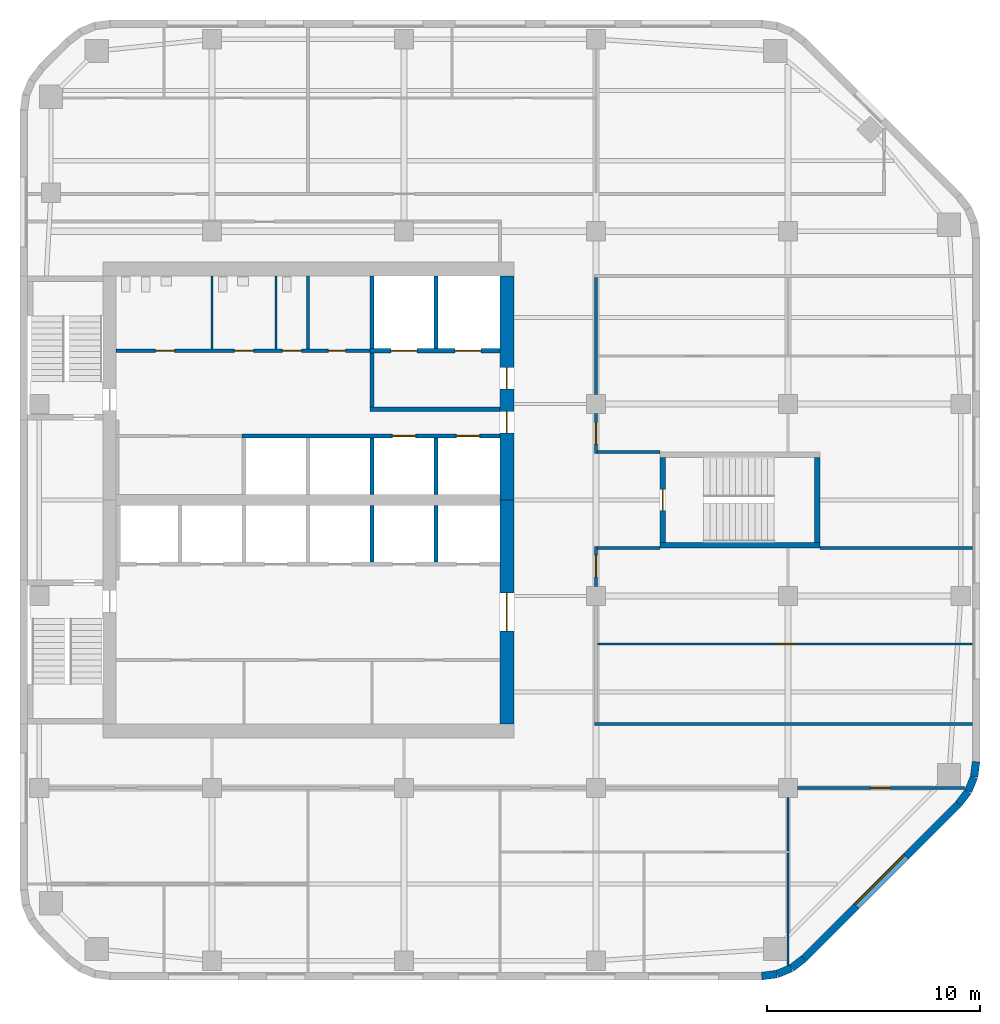
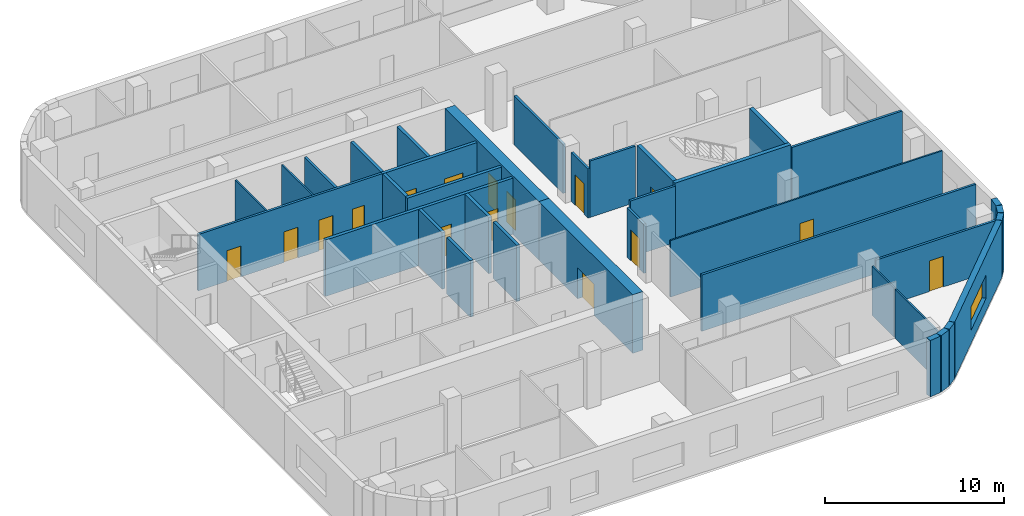
# One storey, part 4 of 8: 37 walls, 16 doors, 1 window, 17 openings.
"""IFC4 building model written with IfcOpenShell, lengths in metres."""

from ifc_helpers import new_model, si_unit, direction, frame, frame_2d, origin, place, context, subcontext, project, spatial, rectangle, extrude, material, layer, layer_set, type_object, element, fill, save


model = new_model("IFC4")

# Units and contexts
model_context = context("Model", 3, precision=1e-05, world=origin(), true_north=direction((0.0, 1.0)))
body_context = subcontext(model_context, "Body", "Model", "MODEL_VIEW")
ifc_project = project(units=[si_unit("LENGTHUNIT", "METRE"), si_unit("AREAUNIT", "SQUARE_METRE"), si_unit("VOLUMEUNIT", "CUBIC_METRE"), si_unit("PLANEANGLEUNIT", "RADIAN"), si_unit("MASSUNIT", "GRAM", prefix="KILO")], contexts=[model_context])

# Site, building, storey
site_placement = place(None, origin())
site = spatial("IfcSite", under=ifc_project, at=site_placement, CompositionType="ELEMENT")
building_placement = place(site_placement, origin())
building = spatial("IfcBuilding", under=site, at=building_placement, Name="Cinnabar Reach Civic Tower", CompositionType="ELEMENT")
storey_placement = place(building_placement, frame((0.0, 0.0, 157.0)))
storey = spatial("IfcBuildingStorey", under=building, at=storey_placement, Name="L37", CompositionType="ELEMENT", Elevation=157.0)

# Walls
ifc_material_1 = material(Name="Facing brick with insulated backing", Category="masonry")
ifc_layer_1 = layer(ifc_material_1, 0.36)
ifc_layer_set_1 = layer_set([ifc_layer_1], Name="Brick corner wall")
wall_type_1 = type_object("IfcWallType", Name="Brick corner wall", PredefinedType="STANDARD", material=ifc_layer_set_1)
for number, where, z_axis, x_axis, name in (
    (1, (34.7686, 9.183, 0.0), (0.0, 0.0, 1.0), (0.99144092581, 0.13055608231, 0.0), "Brick corner wall"),
    (2, (35.4973, 9.2819, 0.0), (0.0, 0.0, 1.0), (0.923871547278, 0.382702709855, 0.0), "Brick corner wall"),
):
    element("IfcWall", number, at=place(storey_placement, frame(where, z_axis=z_axis, x_axis=x_axis)), inside=storey, type_object=wall_type_1, Name=name, PredefinedType="STANDARD", context=body_context, shape_type="SweptSolid", body=[
        extrude(rectangle(XDim=0.7131, YDim=0.36, at=frame_2d((0.3565, 0.0))), origin(), (0.0, 0.0, 1.0), 3.85),
    ])
for number, where, z_axis, x_axis, name in (
    (3, (36.1755, 9.566, 0.0), (0.0, 0.0, 1.0), (0.793321924995, 0.608802368033, 0.0), "Brick corner wall"),
    (4, (43.9998, 17.2587, 0.0), (0.0, 0.0, 1.0), (0.608802368033, 0.793321924995, 0.0), "Brick corner wall"),
):
    element("IfcWall", number, at=place(storey_placement, frame(where, z_axis=z_axis, x_axis=x_axis)), inside=storey, type_object=wall_type_1, Name=name, PredefinedType="STANDARD", context=body_context, shape_type="SweptSolid", body=[
        extrude(rectangle(XDim=0.7132, YDim=0.36, at=frame_2d((0.3566, 0.0))), origin(), (0.0, 0.0, 1.0), 3.85),
    ])
for number, where, z_axis, x_axis, name in (
    (5, (44.4452, 17.8439, 0.0), (0.0, 0.0, 1.0), (0.382702709855, 0.923871547278, 0.0), "Brick corner wall"),
    (6, (44.7239, 18.5244, 0.0), (0.0, 0.0, 1.0), (0.13055608231, 0.99144092581, 0.0), "Brick corner wall"),
):
    element("IfcWall", number, at=place(storey_placement, frame(where, z_axis=z_axis, x_axis=x_axis)), inside=storey, type_object=wall_type_1, Name=name, PredefinedType="STANDARD", context=body_context, shape_type="SweptSolid", body=[
        extrude(rectangle(XDim=0.7131, YDim=0.36, at=frame_2d((0.3565, 0.0))), origin(), (0.0, 0.0, 1.0), 3.85),
    ])

# Wall, opening, window
ifc_layer_2 = layer(ifc_material_1, 0.36)
ifc_layer_set_2 = layer_set([ifc_layer_2], Name="Brick pier and spandrel wall")
wall_type_2 = type_object("IfcWallType", Name="Brick pier and spandrel wall", PredefinedType="STANDARD", material=ifc_layer_set_2)
wall_1_placement = place(storey_placement, frame((36.7514, 10.006, 0.0), z_axis=(0.0, 0.0, 1.0), x_axis=(0.707106781187, 0.707106781187, 0.0)))
wall_1 = element("IfcWall", 7, at=wall_1_placement, inside=storey, type_object=wall_type_2, Name="Brick facade wall", PredefinedType="STANDARD", context=body_context, shape_type="SweptSolid", body=[
    extrude(rectangle(XDim=10.2426, YDim=0.36, at=frame_2d((5.1213, 0.0))), origin(), (0.0, 0.0, 1.0), 3.85),
])
opening_1_placement = place(wall_1_placement, frame((3.4713, 0.0, 0.9)))
opening_1 = element("IfcOpeningElement", 8, at=opening_1_placement, cuts=wall_1, Name="Opening W1767", PredefinedType="OPENING", context=body_context, shape_type="SweptSolid", body=[
    extrude(rectangle(XDim=3.3, YDim=1.6, at=frame_2d((1.65, 0.8))), frame((0.0, 0.19, 0.0), z_axis=(0.0, -1.0, 0.0), x_axis=(1.0, 0.0, 0.0)), (0.0, 0.0, 1.0), 0.38),
])
ifc_material_2 = material(Name="Clear double glazing in aluminium frame", Category="aluminium")
window_type = type_object("IfcWindowType", Name="Deep-set window A", PartitioningType="SINGLE_PANEL", PredefinedType="WINDOW", material=ifc_material_2)
window_placement = place(opening_1_placement, origin())
window = element("IfcWindow", 9, at=window_placement, inside=storey, type_object=window_type, Name="Window southeast face", OverallHeight=1.6, OverallWidth=3.3, PartitioningType="SINGLE_PANEL", PredefinedType="WINDOW", context=body_context, shape_type="SweptSolid", body=[
    extrude(rectangle(XDim=3.3, YDim=1.6, at=frame_2d((1.65, 0.8))), frame((0.0, 0.13, 0.0), z_axis=(0.0, -1.0, 0.0), x_axis=(1.0, 0.0, 0.0)), (0.0, 0.0, 1.0), 0.06),
])
fill(opening_1, window)

# Wall, opening, door
ifc_material_3 = material(Name="Concrete C70", Category="concrete")
ifc_layer_3 = layer(ifc_material_3, 0.65)
ifc_layer_set_3 = layer_set([ifc_layer_3], Name="Core wall 650 EI 180")
wall_type_3 = type_object("IfcWallType", Name="Core wall 650 EI 180", PredefinedType="SOLIDWALL", material=ifc_layer_set_3)
wall_2_placement = place(storey_placement, frame((22.825, 21.0, 0.0), z_axis=(0.0, 0.0, 1.0), x_axis=(0.0, 1.0, 0.0)))
wall_2 = element("IfcWall", 10, at=wall_2_placement, inside=storey, type_object=wall_type_3, Name="Core wall T1 L37 E", PredefinedType="SOLIDWALL", context=body_context, shape_type="SweptSolid", body=[
    extrude(rectangle(XDim=10.5, YDim=0.65, at=frame_2d((5.25, 0.0))), origin(), (0.0, 0.0, 1.0), 4.0),
])
opening_2_placement = place(wall_2_placement, frame((4.35, 0.0, 0.0)))
opening_2 = element("IfcOpeningElement", 11, at=opening_2_placement, cuts=wall_2, Name="Opening D4510", PredefinedType="OPENING", context=body_context, shape_type="SweptSolid", body=[
    extrude(rectangle(XDim=1.8, YDim=2.1, at=frame_2d((0.9, 1.05))), frame((0.0, 0.335, 0.0), z_axis=(0.0, -1.0, 0.0), x_axis=(1.0, 0.0, 0.0)), (0.0, 0.0, 1.0), 0.67),
])
ifc_material_4 = material(Name="Timber door leaf in steel frame", Category="steel")
door_type_1 = type_object("IfcDoorType", Name="Double swing door 1800 x 2100 T1", OperationType="DOUBLE_DOOR_DOUBLE_SWING", PredefinedType="DOOR", material=ifc_material_4)
door_1_placement = place(opening_2_placement, origin())
door_1 = element("IfcDoor", 12, at=door_1_placement, inside=storey, type_object=door_type_1, Name="Door D4510", OperationType="DOUBLE_DOOR_DOUBLE_SWING", OverallHeight=2.1, OverallWidth=1.8, PredefinedType="DOOR", context=body_context, shape_type="SweptSolid", body=[
    extrude(rectangle(XDim=1.8, YDim=2.1, at=frame_2d((0.9, 1.05))), frame((0.0, 0.025, 0.0), z_axis=(0.0, -1.0, 0.0), x_axis=(1.0, 0.0, 0.0)), (0.0, 0.0, 1.0), 0.05),
])
fill(opening_2, door_1)

# Wall, openings, doors
wall_3_placement = place(storey_placement, frame((22.825, 31.5, 0.0), z_axis=(0.0, 0.0, 1.0), x_axis=(0.0, 1.0, 0.0)))
wall_3 = element("IfcWall", 13, at=wall_3_placement, inside=storey, type_object=wall_type_3, Name="Core wall T1 L37 E2", PredefinedType="SOLIDWALL", context=body_context, shape_type="SweptSolid", body=[
    extrude(rectangle(XDim=10.5, YDim=0.65, at=frame_2d((5.25, 0.0))), origin(), (0.0, 0.0, 1.0), 4.0),
])
opening_3_placement = place(wall_3_placement, frame((3.15, 0.0, 0.0)))
opening_3 = element("IfcOpeningElement", 14, at=opening_3_placement, cuts=wall_3, Name="Opening D4511", PredefinedType="OPENING", context=body_context, shape_type="SweptSolid", body=[
    extrude(rectangle(XDim=1.0, YDim=2.1, at=frame_2d((0.5, 1.05))), frame((0.0, 0.335, 0.0), z_axis=(0.0, -1.0, 0.0), x_axis=(1.0, 0.0, 0.0)), (0.0, 0.0, 1.0), 0.67),
])
opening_4_placement = place(wall_3_placement, frame((5.2, 0.0, 0.0)))
opening_4 = element("IfcOpeningElement", 15, at=opening_4_placement, cuts=wall_3, Name="Opening D4512", PredefinedType="OPENING", context=body_context, shape_type="SweptSolid", body=[
    extrude(rectangle(XDim=1.0, YDim=2.1, at=frame_2d((0.5, 1.05))), frame((0.0, 0.335, 0.0), z_axis=(0.0, -1.0, 0.0), x_axis=(1.0, 0.0, 0.0)), (0.0, 0.0, 1.0), 0.67),
])
door_type_2 = type_object("IfcDoorType", Name="Firefighting lobby door 1000 x 2100 T1", OperationType="SINGLE_SWING_LEFT", PredefinedType="DOOR", material=ifc_material_4)
door_2_placement = place(opening_4_placement, origin())
door_2 = element("IfcDoor", 16, at=door_2_placement, inside=storey, type_object=door_type_2, Name="Door D4512", OperationType="SINGLE_SWING_RIGHT", OverallHeight=2.1, OverallWidth=1.0, PredefinedType="DOOR", context=body_context, shape_type="SweptSolid", body=[
    extrude(rectangle(XDim=1.0, YDim=2.1, at=frame_2d((0.5, 1.05))), frame((0.0, 0.025, 0.0), z_axis=(0.0, -1.0, 0.0), x_axis=(1.0, 0.0, 0.0)), (0.0, 0.0, 1.0), 0.05),
])
fill(opening_4, door_2)
door_type_3 = type_object("IfcDoorType", Name="Single swing door 1000 x 2100 T1", OperationType="SINGLE_SWING_LEFT", PredefinedType="DOOR", material=ifc_material_4)
door_3_placement = place(opening_3_placement, origin())
door_3 = element("IfcDoor", 17, at=door_3_placement, inside=storey, type_object=door_type_3, Name="Door D4511", OperationType="SINGLE_SWING_RIGHT", OverallHeight=2.1, OverallWidth=1.0, PredefinedType="DOOR", context=body_context, shape_type="SweptSolid", body=[
    extrude(rectangle(XDim=1.0, YDim=2.1, at=frame_2d((0.5, 1.05))), frame((0.0, 0.025, 0.0), z_axis=(0.0, -1.0, 0.0), x_axis=(1.0, 0.0, 0.0)), (0.0, 0.0, 1.0), 0.05),
])
fill(opening_3, door_3)

# Wall, opening, door
ifc_material_5 = material(Name="Gypsum board on steel studs, double layer", Category="steel")
ifc_layer_4 = layer(ifc_material_5, 0.15)
ifc_layer_set_4 = layer_set([ifc_layer_4], Name="Corridor wall 150 T1")
wall_type_4 = type_object("IfcWallType", Name="Corridor wall 150 T1", PredefinedType="PARTITIONING", material=ifc_layer_set_4)
wall_4_placement = place(storey_placement, frame((36.45, 18.0, 0.0), z_axis=(0.0, 0.0, 1.0), x_axis=(1.0, 0.0, 0.0)))
wall_4 = element("IfcWall", 18, at=wall_4_placement, inside=storey, type_object=wall_type_4, Name="Corridor wall 22", PredefinedType="PARTITIONING", context=body_context, shape_type="SweptSolid", body=[
    extrude(rectangle(XDim=7.834, YDim=0.15, at=frame_2d((3.917, 0.0))), origin(), (0.0, 0.0, 1.0), 3.35),
])
opening_5_placement = place(wall_4_placement, frame((3.45, 0.0, 0.0)))
opening_5 = element("IfcOpeningElement", 19, at=opening_5_placement, cuts=wall_4, Name="Opening D4534", PredefinedType="OPENING", context=body_context, shape_type="SweptSolid", body=[
    extrude(rectangle(XDim=0.9, YDim=2.1, at=frame_2d((0.45, 1.05))), frame((0.0, 0.085, 0.0), z_axis=(0.0, -1.0, 0.0), x_axis=(1.0, 0.0, 0.0)), (0.0, 0.0, 1.0), 0.17),
])
door_type_4 = type_object("IfcDoorType", Name="Single swing door 900 x 2100 corridor T1", OperationType="SINGLE_SWING_LEFT", PredefinedType="DOOR", material=ifc_material_4)
door_4_placement = place(opening_5_placement, frame((0.9, 0.0, 0.0), z_axis=(0.0, 0.0, 1.0), x_axis=(-1.0, 0.0, 0.0)))
door_4 = element("IfcDoor", 20, at=door_4_placement, inside=storey, type_object=door_type_4, Name="Door D4534", OperationType="SINGLE_SWING_RIGHT", OverallHeight=2.1, OverallWidth=0.9, PredefinedType="DOOR", context=body_context, shape_type="SweptSolid", body=[
    extrude(rectangle(XDim=0.9, YDim=2.1, at=frame_2d((0.45, 1.05))), frame((0.0, 0.025, 0.0), z_axis=(0.0, -1.0, 0.0), x_axis=(1.0, 0.0, 0.0)), (0.0, 0.0, 1.0), 0.05),
])
fill(opening_5, door_4)

# Wall
wall_5_placement = place(storey_placement, frame((26.925, 21.0, 0.0), z_axis=(0.0, 0.0, 1.0), x_axis=(1.0, 0.0, 0.0)))
element("IfcWall", 21, at=wall_5_placement, inside=storey, type_object=wall_type_4, Name="Corridor wall 27", PredefinedType="PARTITIONING", context=body_context, shape_type="SweptSolid", body=[
    extrude(rectangle(XDim=17.715, YDim=0.15, at=frame_2d((8.8575, 0.0))), origin(), (0.0, 0.0, 1.0), 3.85),
])

# Wall, openings, doors
wall_6_placement = place(storey_placement, frame((4.5, 38.5, 0.0), z_axis=(0.0, 0.0, 1.0), x_axis=(1.0, 0.0, 0.0)))
wall_6 = element("IfcWall", 22, at=wall_6_placement, inside=storey, type_object=wall_type_4, Name="Corridor wall 29", PredefinedType="PARTITIONING", context=body_context, shape_type="SweptSolid", body=[
    extrude(rectangle(XDim=11.9, YDim=0.15, at=frame_2d((5.95, 0.0))), origin(), (0.0, 0.0, 1.0), 3.85),
])
opening_6_placement = place(wall_6_placement, frame((1.85, 0.0, 0.0)))
opening_6 = element("IfcOpeningElement", 23, at=opening_6_placement, cuts=wall_6, Name="Opening D4518", PredefinedType="OPENING", context=body_context, shape_type="SweptSolid", body=[
    extrude(rectangle(XDim=0.9, YDim=2.1, at=frame_2d((0.45, 1.05))), frame((0.0, 0.085, 0.0), z_axis=(0.0, -1.0, 0.0), x_axis=(1.0, 0.0, 0.0)), (0.0, 0.0, 1.0), 0.17),
])
opening_7_placement = place(wall_6_placement, frame((5.55, 0.0, 0.0)))
opening_7 = element("IfcOpeningElement", 24, at=opening_7_placement, cuts=wall_6, Name="Opening D4519", PredefinedType="OPENING", context=body_context, shape_type="SweptSolid", body=[
    extrude(rectangle(XDim=0.9, YDim=2.1, at=frame_2d((0.45, 1.05))), frame((0.0, 0.085, 0.0), z_axis=(0.0, -1.0, 0.0), x_axis=(1.0, 0.0, 0.0)), (0.0, 0.0, 1.0), 0.17),
])
opening_8_placement = place(wall_6_placement, frame((7.8, 0.0, 0.0)))
opening_8 = element("IfcOpeningElement", 25, at=opening_8_placement, cuts=wall_6, Name="Opening D4520", PredefinedType="OPENING", context=body_context, shape_type="SweptSolid", body=[
    extrude(rectangle(XDim=0.9, YDim=2.1, at=frame_2d((0.45, 1.05))), frame((0.0, 0.085, 0.0), z_axis=(0.0, -1.0, 0.0), x_axis=(1.0, 0.0, 0.0)), (0.0, 0.0, 1.0), 0.17),
])
opening_9_placement = place(wall_6_placement, frame((9.95, 0.0, 0.0)))
opening_9 = element("IfcOpeningElement", 26, at=opening_9_placement, cuts=wall_6, Name="Opening D4521", PredefinedType="OPENING", context=body_context, shape_type="SweptSolid", body=[
    extrude(rectangle(XDim=0.8, YDim=2.1, at=frame_2d((0.4, 1.05))), frame((0.0, 0.085, 0.0), z_axis=(0.0, -1.0, 0.0), x_axis=(1.0, 0.0, 0.0)), (0.0, 0.0, 1.0), 0.17),
])
door_type_5 = type_object("IfcDoorType", Name="Riser access door 800 x 2100 T1", OperationType="SINGLE_SWING_LEFT", PredefinedType="DOOR", material=ifc_material_4)
door_5_placement = place(opening_9_placement, origin())
door_5 = element("IfcDoor", 27, at=door_5_placement, inside=storey, type_object=door_type_5, Name="Door D4521", OperationType="SINGLE_SWING_RIGHT", OverallHeight=2.1, OverallWidth=0.8, PredefinedType="DOOR", context=body_context, shape_type="SweptSolid", body=[
    extrude(rectangle(XDim=0.8, YDim=2.1, at=frame_2d((0.4, 1.05))), frame((0.0, 0.025, 0.0), z_axis=(0.0, -1.0, 0.0), x_axis=(1.0, 0.0, 0.0)), (0.0, 0.0, 1.0), 0.05),
])
fill(opening_9, door_5)
door_6_placement = place(opening_6_placement, origin())
door_6 = element("IfcDoor", 28, at=door_6_placement, inside=storey, type_object=door_type_4, Name="Door D4518", OperationType="SINGLE_SWING_LEFT", OverallHeight=2.1, OverallWidth=0.9, PredefinedType="DOOR", context=body_context, shape_type="SweptSolid", body=[
    extrude(rectangle(XDim=0.9, YDim=2.1, at=frame_2d((0.45, 1.05))), frame((0.0, 0.025, 0.0), z_axis=(0.0, -1.0, 0.0), x_axis=(1.0, 0.0, 0.0)), (0.0, 0.0, 1.0), 0.05),
])
fill(opening_6, door_6)
door_7_placement = place(opening_7_placement, origin())
door_7 = element("IfcDoor", 29, at=door_7_placement, inside=storey, type_object=door_type_4, Name="Door D4519", OperationType="SINGLE_SWING_LEFT", OverallHeight=2.1, OverallWidth=0.9, PredefinedType="DOOR", context=body_context, shape_type="SweptSolid", body=[
    extrude(rectangle(XDim=0.9, YDim=2.1, at=frame_2d((0.45, 1.05))), frame((0.0, 0.025, 0.0), z_axis=(0.0, -1.0, 0.0), x_axis=(1.0, 0.0, 0.0)), (0.0, 0.0, 1.0), 0.05),
])
fill(opening_7, door_7)
door_8_placement = place(opening_8_placement, origin())
door_8 = element("IfcDoor", 30, at=door_8_placement, inside=storey, type_object=door_type_4, Name="Door D4520", OperationType="SINGLE_SWING_RIGHT", OverallHeight=2.1, OverallWidth=0.9, PredefinedType="DOOR", context=body_context, shape_type="SweptSolid", body=[
    extrude(rectangle(XDim=0.9, YDim=2.1, at=frame_2d((0.45, 1.05))), frame((0.0, 0.025, 0.0), z_axis=(0.0, -1.0, 0.0), x_axis=(1.0, 0.0, 0.0)), (0.0, 0.0, 1.0), 0.05),
])
fill(opening_8, door_8)

# Wall, opening, door
wall_7_placement = place(storey_placement, frame((27.0, 27.45, 0.0), z_axis=(0.0, 0.0, 1.0), x_axis=(0.0, 1.0, 0.0)))
wall_7 = element("IfcWall", 31, at=wall_7_placement, inside=storey, type_object=wall_type_4, Name="Corridor wall 31", PredefinedType="PARTITIONING", context=body_context, shape_type="SweptSolid", body=[
    extrude(rectangle(XDim=1.875, YDim=0.15, at=frame_2d((0.9375, 0.0))), origin(), (0.0, 0.0, 1.0), 3.362),
])
opening_10_placement = place(wall_7_placement, frame((0.45, 0.0, 0.0)))
opening_10 = element("IfcOpeningElement", 32, at=opening_10_placement, cuts=wall_7, Name="Opening D4525", PredefinedType="OPENING", context=body_context, shape_type="SweptSolid", body=[
    extrude(rectangle(XDim=1.0, YDim=2.1, at=frame_2d((0.5, 1.05))), frame((0.0, 0.085, 0.0), z_axis=(0.0, -1.0, 0.0), x_axis=(1.0, 0.0, 0.0)), (0.0, 0.0, 1.0), 0.17),
])
door_type_6 = type_object("IfcDoorType", Name="Tenancy entrance door 1000 x 2100 T1", OperationType="SINGLE_SWING_LEFT", PredefinedType="DOOR", material=ifc_material_4)
door_9_placement = place(opening_10_placement, frame((1.0, 0.0, 0.0), z_axis=(0.0, 0.0, 1.0), x_axis=(-1.0, 0.0, 0.0)))
door_9 = element("IfcDoor", 33, at=door_9_placement, inside=storey, type_object=door_type_6, Name="Door D4525", OperationType="SINGLE_SWING_LEFT", OverallHeight=2.1, OverallWidth=1.0, PredefinedType="DOOR", context=body_context, shape_type="SweptSolid", body=[
    extrude(rectangle(XDim=1.0, YDim=2.1, at=frame_2d((0.5, 1.05))), frame((0.0, 0.025, 0.0), z_axis=(0.0, -1.0, 0.0), x_axis=(1.0, 0.0, 0.0)), (0.0, 0.0, 1.0), 0.05),
])
fill(opening_10, door_9)

wall_8_placement = place(storey_placement, frame((27.0, 33.675, 0.0), z_axis=(0.0, 0.0, 1.0), x_axis=(0.0, 1.0, 0.0)))
wall_8 = element("IfcWall", 34, at=wall_8_placement, inside=storey, type_object=wall_type_4, Name="Corridor wall 32", PredefinedType="PARTITIONING", context=body_context, shape_type="SweptSolid", body=[
    extrude(rectangle(XDim=1.875, YDim=0.15, at=frame_2d((0.9375, 0.0))), origin(), (0.0, 0.0, 1.0), 3.362),
])
opening_11_placement = place(wall_8_placement, frame((0.45, 0.0, 0.0)))
opening_11 = element("IfcOpeningElement", 35, at=opening_11_placement, cuts=wall_8, Name="Opening D4522", PredefinedType="OPENING", context=body_context, shape_type="SweptSolid", body=[
    extrude(rectangle(XDim=1.0, YDim=2.1, at=frame_2d((0.5, 1.05))), frame((0.0, 0.085, 0.0), z_axis=(0.0, -1.0, 0.0), x_axis=(1.0, 0.0, 0.0)), (0.0, 0.0, 1.0), 0.17),
])
door_10_placement = place(opening_11_placement, frame((1.0, 0.0, 0.0), z_axis=(0.0, 0.0, 1.0), x_axis=(-1.0, 0.0, 0.0)))
door_10 = element("IfcDoor", 36, at=door_10_placement, inside=storey, type_object=door_type_6, Name="Door D4522", OperationType="SINGLE_SWING_RIGHT", OverallHeight=2.1, OverallWidth=1.0, PredefinedType="DOOR", context=body_context, shape_type="SweptSolid", body=[
    extrude(rectangle(XDim=1.0, YDim=2.1, at=frame_2d((0.5, 1.05))), frame((0.0, 0.025, 0.0), z_axis=(0.0, -1.0, 0.0), x_axis=(1.0, 0.0, 0.0)), (0.0, 0.0, 1.0), 0.05),
])
fill(opening_11, door_10)

# Walls
wall_9_placement = place(storey_placement, frame((27.0, 36.45, 0.0), z_axis=(0.0, 0.0, 1.0), x_axis=(0.0, 1.0, 0.0)))
element("IfcWall", 37, at=wall_9_placement, inside=storey, type_object=wall_type_4, Name="Corridor wall 33", PredefinedType="PARTITIONING", context=body_context, shape_type="SweptSolid", body=[
    extrude(rectangle(XDim=5.475, YDim=0.15, at=frame_2d((2.7375, 0.0))), origin(), (0.0, 0.0, 1.0), 3.362),
])
for number, where, z_axis, x_axis, name in (
    (38, (27.075, 29.25, 0.0), (0.0, 0.0, 1.0), (1.0, 0.0, 0.0), "Corridor wall 38"),
    (39, (27.075, 33.75, 0.0), (0.0, 0.0, 1.0), (1.0, 0.0, 0.0), "Corridor wall 39"),
):
    element("IfcWall", number, at=place(storey_placement, frame(where, z_axis=z_axis, x_axis=x_axis)), inside=storey, type_object=wall_type_4, Name=name, PredefinedType="PARTITIONING", context=body_context, shape_type="SweptSolid", body=[
        extrude(rectangle(XDim=2.925, YDim=0.15, at=frame_2d((1.4625, 0.0))), origin(), (0.0, 0.0, 1.0), 3.85),
    ])

# Wall, openings, doors
ifc_material_6 = material(Name="Blockwork", Category="masonry")
ifc_layer_5 = layer(ifc_material_6, 0.2)
ifc_layer_set_5 = layer_set([ifc_layer_5], Name="Lift shaft wall 200 T1")
wall_type_5 = type_object("IfcWallType", Name="Lift shaft wall 200 T1", PredefinedType="PARTITIONING", material=ifc_layer_set_5)
wall_10_placement = place(storey_placement, frame((10.4, 34.5, 0.0), z_axis=(0.0, 0.0, 1.0), x_axis=(1.0, 0.0, 0.0)))
wall_10 = element("IfcWall", 40, at=wall_10_placement, inside=storey, type_object=wall_type_5, Name="Lift shaft wall 5", PredefinedType="PARTITIONING", context=body_context, shape_type="SweptSolid", body=[
    extrude(rectangle(XDim=12.1, YDim=0.2, at=frame_2d((6.05, 0.0))), origin(), (0.0, 0.0, 1.0), 3.85),
])
opening_12_placement = place(wall_10_placement, frame((7.05, 0.0, 0.0)))
opening_12 = element("IfcOpeningElement", 41, at=opening_12_placement, cuts=wall_10, Name="Opening D4506", PredefinedType="OPENING", context=body_context, shape_type="SweptSolid", body=[
    extrude(rectangle(XDim=1.1, YDim=2.1, at=frame_2d((0.55, 1.05))), frame((0.0, 0.11, 0.0), z_axis=(0.0, -1.0, 0.0), x_axis=(1.0, 0.0, 0.0)), (0.0, 0.0, 1.0), 0.22),
])
opening_13_placement = place(wall_10_placement, frame((10.05, 0.0, 0.0)))
opening_13 = element("IfcOpeningElement", 42, at=opening_13_placement, cuts=wall_10, Name="Opening D4507", PredefinedType="OPENING", context=body_context, shape_type="SweptSolid", body=[
    extrude(rectangle(XDim=1.1, YDim=2.1, at=frame_2d((0.55, 1.05))), frame((0.0, 0.11, 0.0), z_axis=(0.0, -1.0, 0.0), x_axis=(1.0, 0.0, 0.0)), (0.0, 0.0, 1.0), 0.22),
])
ifc_material_7 = material(Name="Stainless steel sliding door", Category="steel")
door_type_7 = type_object("IfcDoorType", Name="Lift landing door 1100 x 2100 T1", OperationType="SLIDING_TO_LEFT", PredefinedType="DOOR", material=ifc_material_7)
door_11_placement = place(opening_12_placement, origin())
door_11 = element("IfcDoor", 43, at=door_11_placement, inside=storey, type_object=door_type_7, Name="Lift landing door SV1 L37", OperationType="SLIDING_TO_LEFT", OverallHeight=2.1, OverallWidth=1.1, PredefinedType="DOOR", context=body_context, shape_type="SweptSolid", body=[
    extrude(rectangle(XDim=1.1, YDim=2.1, at=frame_2d((0.55, 1.05))), frame((0.0, 0.025, 0.0), z_axis=(0.0, -1.0, 0.0), x_axis=(1.0, 0.0, 0.0)), (0.0, 0.0, 1.0), 0.05),
])
fill(opening_12, door_11)
door_12_placement = place(opening_13_placement, origin())
door_12 = element("IfcDoor", 44, at=door_12_placement, inside=storey, type_object=door_type_7, Name="Lift landing door SV2 L37", OperationType="SLIDING_TO_LEFT", OverallHeight=2.1, OverallWidth=1.1, PredefinedType="DOOR", context=body_context, shape_type="SweptSolid", body=[
    extrude(rectangle(XDim=1.1, YDim=2.1, at=frame_2d((0.55, 1.05))), frame((0.0, 0.025, 0.0), z_axis=(0.0, -1.0, 0.0), x_axis=(1.0, 0.0, 0.0)), (0.0, 0.0, 1.0), 0.05),
])
fill(opening_13, door_12)

# Walls
for number, where, z_axis, x_axis, name in (
    (45, (16.5, 28.6, 0.0), (0.0, 0.0, 1.0), (0.0, 1.0, 0.0), "Lift shaft wall 10"),
    (46, (16.5, 31.75, 0.0), (0.0, 0.0, 1.0), (0.0, 1.0, 0.0), "Lift shaft wall 11"),
    (47, (19.5, 28.6, 0.0), (0.0, 0.0, 1.0), (0.0, 1.0, 0.0), "Lift shaft wall 12"),
    (48, (19.5, 31.75, 0.0), (0.0, 0.0, 1.0), (0.0, 1.0, 0.0), "Lift shaft wall 13"),
):
    element("IfcWall", number, at=place(storey_placement, frame(where, z_axis=z_axis, x_axis=x_axis)), inside=storey, type_object=wall_type_5, Name=name, PredefinedType="PARTITIONING", context=body_context, shape_type="SweptSolid", body=[
        extrude(rectangle(XDim=2.65, YDim=0.2, at=frame_2d((1.325, 0.0))), origin(), (0.0, 0.0, 1.0), 3.85),
    ])
for number, where, z_axis, x_axis, name in (
    (49, (16.5, 38.6, 0.0), (0.0, 0.0, 1.0), (0.0, 1.0, 0.0), "Lift shaft wall 14"),
    (50, (19.5, 38.6, 0.0), (0.0, 0.0, 1.0), (0.0, 1.0, 0.0), "Lift shaft wall 15"),
):
    element("IfcWall", number, at=place(storey_placement, frame(where, z_axis=z_axis, x_axis=x_axis)), inside=storey, type_object=wall_type_5, Name=name, PredefinedType="PARTITIONING", context=body_context, shape_type="SweptSolid", body=[
        extrude(rectangle(XDim=3.4, YDim=0.2, at=frame_2d((1.7, 0.0))), origin(), (0.0, 0.0, 1.0), 3.85),
    ])

# Wall, opening, door
ifc_material_8 = material(Name="Gypsum board on steel studs", Category="steel")
ifc_layer_6 = layer(ifc_material_8, 0.1)
ifc_layer_set_6 = layer_set([ifc_layer_6], Name="Partition wall 100 T1")
wall_type_6 = type_object("IfcWallType", Name="Partition wall 100 T1", PredefinedType="PARTITIONING", material=ifc_layer_set_6)
wall_11_placement = place(storey_placement, frame((27.075, 24.75, 0.0), z_axis=(0.0, 0.0, 1.0), x_axis=(1.0, 0.0, 0.0)))
wall_11 = element("IfcWall", 51, at=wall_11_placement, inside=storey, type_object=wall_type_6, Name="Partition wall 47", PredefinedType="PARTITIONING", context=body_context, shape_type="SweptSolid", body=[
    extrude(rectangle(XDim=17.565, YDim=0.1, at=frame_2d((8.7825, 0.0))), origin(), (0.0, 0.0, 1.0), 3.85),
])
opening_14_placement = place(wall_11_placement, frame((8.35, 0.0, 0.0)))
opening_14 = element("IfcOpeningElement", 52, at=opening_14_placement, cuts=wall_11, Name="Opening D4526", PredefinedType="OPENING", context=body_context, shape_type="SweptSolid", body=[
    extrude(rectangle(XDim=0.9, YDim=2.1, at=frame_2d((0.45, 1.05))), frame((0.0, 0.06, 0.0), z_axis=(0.0, -1.0, 0.0), x_axis=(1.0, 0.0, 0.0)), (0.0, 0.0, 1.0), 0.12),
])
door_type_8 = type_object("IfcDoorType", Name="Single swing door 900 x 2100 T1", OperationType="SINGLE_SWING_LEFT", PredefinedType="DOOR", material=ifc_material_4)
door_13_placement = place(opening_14_placement, frame((0.9, 0.0, 0.0), z_axis=(0.0, 0.0, 1.0), x_axis=(-1.0, 0.0, 0.0)))
door_13 = element("IfcDoor", 53, at=door_13_placement, inside=storey, type_object=door_type_8, Name="Door D4526", OperationType="SINGLE_SWING_LEFT", OverallHeight=2.1, OverallWidth=0.9, PredefinedType="DOOR", context=body_context, shape_type="SweptSolid", body=[
    extrude(rectangle(XDim=0.9, YDim=2.1, at=frame_2d((0.45, 1.05))), frame((0.0, 0.025, 0.0), z_axis=(0.0, -1.0, 0.0), x_axis=(1.0, 0.0, 0.0)), (0.0, 0.0, 1.0), 0.05),
])
fill(opening_14, door_13)

# Walls
wall_12_placement = place(storey_placement, frame((36.0, 15.05, 0.0), z_axis=(0.0, 0.0, 1.0), x_axis=(0.0, 1.0, 0.0)))
element("IfcWall", 54, at=wall_12_placement, inside=storey, type_object=wall_type_6, Name="Partition wall 55", PredefinedType="PARTITIONING", context=body_context, shape_type="SweptSolid", body=[
    extrude(rectangle(XDim=2.5, YDim=0.1, at=frame_2d((1.25, 0.0))), origin(), (0.0, 0.0, 1.0), 3.35),
])
wall_13_placement = place(storey_placement, frame((36.0, 9.685, 0.0), z_axis=(0.0, 0.0, 1.0), x_axis=(0.0, 1.0, 0.0)))
element("IfcWall", 55, at=wall_13_placement, inside=storey, type_object=wall_type_6, Name="Partition wall 56", PredefinedType="PARTITIONING", context=body_context, shape_type="SweptSolid", body=[
    extrude(rectangle(XDim=5.265, YDim=0.1, at=frame_2d((2.6325, 0.0))), origin(), (0.0, 0.0, 1.0), 3.35),
])
for number, where, z_axis, x_axis, name in (
    (56, (9.0, 38.575, 0.0), (0.0, 0.0, 1.0), (0.0, 1.0, 0.0), "Partition wall 62"),
    (57, (12.0, 38.575, 0.0), (0.0, 0.0, 1.0), (0.0, 1.0, 0.0), "Partition wall 63"),
):
    element("IfcWall", number, at=place(storey_placement, frame(where, z_axis=z_axis, x_axis=x_axis)), inside=storey, type_object=wall_type_6, Name=name, PredefinedType="PARTITIONING", context=body_context, shape_type="SweptSolid", body=[
        extrude(rectangle(XDim=3.425, YDim=0.1, at=frame_2d((1.7125, 0.0))), origin(), (0.0, 0.0, 1.0), 3.85),
    ])
ifc_material_9 = material(Name="Concrete C40", Category="concrete")
ifc_layer_7 = layer(ifc_material_9, 0.2)
ifc_layer_set_7 = layer_set([ifc_layer_7], Name="Refuge compartment wall 200 T1")
wall_type_7 = type_object("IfcWallType", Name="Refuge compartment wall 200 T1", PredefinedType="PARTITIONING", material=ifc_layer_set_7)
wall_14_placement = place(storey_placement, frame((16.4, 35.75, 0.0), z_axis=(0.0, 0.0, 1.0), x_axis=(1.0, 0.0, 0.0)))
element("IfcWall", 58, at=wall_14_placement, inside=storey, type_object=wall_type_7, Name="Refuge compartment wall 1", PredefinedType="PARTITIONING", context=body_context, shape_type="SweptSolid", body=[
    extrude(rectangle(XDim=6.1, YDim=0.2, at=frame_2d((3.05, 0.0))), origin(), (0.0, 0.0, 1.0), 3.85),
])

# Wall, openings, doors
wall_15_placement = place(storey_placement, frame((16.4, 38.5, 0.0), z_axis=(0.0, 0.0, 1.0), x_axis=(1.0, 0.0, 0.0)))
wall_15 = element("IfcWall", 59, at=wall_15_placement, inside=storey, type_object=wall_type_7, Name="Refuge compartment wall 2", PredefinedType="PARTITIONING", context=body_context, shape_type="SweptSolid", body=[
    extrude(rectangle(XDim=6.1, YDim=0.2, at=frame_2d((3.05, 0.0))), origin(), (0.0, 0.0, 1.0), 3.85),
])
opening_15_placement = place(wall_15_placement, frame((1.0, 0.0, 0.0)))
opening_15 = element("IfcOpeningElement", 60, at=opening_15_placement, cuts=wall_15, Name="Opening D4508", PredefinedType="OPENING", context=body_context, shape_type="SweptSolid", body=[
    extrude(rectangle(XDim=1.2, YDim=2.1, at=frame_2d((0.6, 1.05))), frame((0.0, 0.11, 0.0), z_axis=(0.0, -1.0, 0.0), x_axis=(1.0, 0.0, 0.0)), (0.0, 0.0, 1.0), 0.22),
])
opening_16_placement = place(wall_15_placement, frame((4.0, 0.0, 0.0)))
opening_16 = element("IfcOpeningElement", 61, at=opening_16_placement, cuts=wall_15, Name="Opening D4509", PredefinedType="OPENING", context=body_context, shape_type="SweptSolid", body=[
    extrude(rectangle(XDim=1.2, YDim=2.1, at=frame_2d((0.6, 1.05))), frame((0.0, 0.11, 0.0), z_axis=(0.0, -1.0, 0.0), x_axis=(1.0, 0.0, 0.0)), (0.0, 0.0, 1.0), 0.22),
])
door_type_9 = type_object("IfcDoorType", Name="Firefighting lift landing door 1200 x 2100 T1", OperationType="SLIDING_TO_LEFT", PredefinedType="DOOR", material=ifc_material_7)
door_14_placement = place(opening_15_placement, origin())
door_14 = element("IfcDoor", 62, at=door_14_placement, inside=storey, type_object=door_type_9, Name="Lift landing door FF1 L37", OperationType="SLIDING_TO_LEFT", OverallHeight=2.1, OverallWidth=1.2, PredefinedType="DOOR", context=body_context, shape_type="SweptSolid", body=[
    extrude(rectangle(XDim=1.2, YDim=2.1, at=frame_2d((0.6, 1.05))), frame((0.0, 0.025, 0.0), z_axis=(0.0, -1.0, 0.0), x_axis=(1.0, 0.0, 0.0)), (0.0, 0.0, 1.0), 0.05),
])
fill(opening_15, door_14)
door_15_placement = place(opening_16_placement, origin())
door_15 = element("IfcDoor", 63, at=door_15_placement, inside=storey, type_object=door_type_9, Name="Lift landing door FF2 L37", OperationType="SLIDING_TO_LEFT", OverallHeight=2.1, OverallWidth=1.2, PredefinedType="DOOR", context=body_context, shape_type="SweptSolid", body=[
    extrude(rectangle(XDim=1.2, YDim=2.1, at=frame_2d((0.6, 1.05))), frame((0.0, 0.025, 0.0), z_axis=(0.0, -1.0, 0.0), x_axis=(1.0, 0.0, 0.0)), (0.0, 0.0, 1.0), 0.05),
])
fill(opening_16, door_15)

# Walls
wall_16_placement = place(storey_placement, frame((16.5, 35.85, 0.0), z_axis=(0.0, 0.0, 1.0), x_axis=(0.0, 1.0, 0.0)))
element("IfcWall", 64, at=wall_16_placement, inside=storey, type_object=wall_type_7, Name="Refuge compartment wall 3", PredefinedType="PARTITIONING", context=body_context, shape_type="SweptSolid", body=[
    extrude(rectangle(XDim=2.55, YDim=0.2, at=frame_2d((1.275, 0.0))), origin(), (0.0, 0.0, 1.0), 3.85),
])
ifc_layer_8 = layer(ifc_material_6, 0.15)
ifc_layer_set_8 = layer_set([ifc_layer_8], Name="Riser wall 150 T1")
wall_type_8 = type_object("IfcWallType", Name="Riser wall 150 T1", PredefinedType="PARTITIONING", material=ifc_layer_set_8)
wall_17_placement = place(storey_placement, frame((13.5, 38.575, 0.0), z_axis=(0.0, 0.0, 1.0), x_axis=(0.0, 1.0, 0.0)))
element("IfcWall", 65, at=wall_17_placement, inside=storey, type_object=wall_type_8, Name="Riser wall 42", PredefinedType="PARTITIONING", context=body_context, shape_type="SweptSolid", body=[
    extrude(rectangle(XDim=3.425, YDim=0.15, at=frame_2d((1.7125, 0.0))), origin(), (0.0, 0.0, 1.0), 3.85),
])
ifc_material_10 = material(Name="Concrete C60", Category="concrete")
ifc_layer_9 = layer(ifc_material_10, 0.25)
ifc_layer_set_9 = layer_set([ifc_layer_9], Name="Stair shaft wall 250 EI 120")
wall_type_9 = type_object("IfcWallType", Name="Stair shaft wall 250 EI 120", PredefinedType="SOLIDWALL", material=ifc_layer_set_9)
wall_18_placement = place(storey_placement, frame((30.0, 29.375, 0.0), z_axis=(0.0, 0.0, 1.0), x_axis=(1.0, 0.0, 0.0)))
element("IfcWall", 66, at=wall_18_placement, inside=storey, type_object=wall_type_9, Name="Stair shaft wall T1-S3 L37", PredefinedType="SOLIDWALL", context=body_context, shape_type="SweptSolid", body=[
    extrude(rectangle(XDim=7.5, YDim=0.25, at=frame_2d((3.75, 0.0))), origin(), (0.0, 0.0, 1.0), 4.0),
])
wall_19_placement = place(storey_placement, frame((37.375, 29.5, 0.0), z_axis=(0.0, 0.0, 1.0), x_axis=(0.0, 1.0, 0.0)))
element("IfcWall", 67, at=wall_19_placement, inside=storey, type_object=wall_type_9, Name="Stair shaft wall T1-S3 L37", PredefinedType="SOLIDWALL", context=body_context, shape_type="SweptSolid", body=[
    extrude(rectangle(XDim=4.0, YDim=0.25, at=frame_2d((2.0, 0.0))), origin(), (0.0, 0.0, 1.0), 4.0),
])

# Wall, opening, door
wall_20_placement = place(storey_placement, frame((30.125, 33.5, 0.0), z_axis=(0.0, 0.0, 1.0), x_axis=(0.0, -1.0, 0.0)))
wall_20 = element("IfcWall", 68, at=wall_20_placement, inside=storey, type_object=wall_type_9, Name="Stair shaft wall T1-S3 L37", PredefinedType="SOLIDWALL", context=body_context, shape_type="SweptSolid", body=[
    extrude(rectangle(XDim=4.0, YDim=0.25, at=frame_2d((2.0, 0.0))), origin(), (0.0, 0.0, 1.0), 4.0),
])
opening_17_placement = place(wall_20_placement, frame((1.5, 0.0, 0.0)))
opening_17 = element("IfcOpeningElement", 69, at=opening_17_placement, cuts=wall_20, Name="Opening D4513", PredefinedType="OPENING", context=body_context, shape_type="SweptSolid", body=[
    extrude(rectangle(XDim=1.0, YDim=2.1, at=frame_2d((0.5, 1.05))), frame((0.0, 0.135, 0.0), z_axis=(0.0, -1.0, 0.0), x_axis=(1.0, 0.0, 0.0)), (0.0, 0.0, 1.0), 0.27),
])
door_type_10 = type_object("IfcDoorType", Name="Stair door 1000 x 2100 T1", OperationType="SINGLE_SWING_LEFT", PredefinedType="DOOR", material=ifc_material_4)
door_16_placement = place(opening_17_placement, origin())
door_16 = element("IfcDoor", 70, at=door_16_placement, inside=storey, type_object=door_type_10, Name="Door D4513", OperationType="SINGLE_SWING_RIGHT", OverallHeight=2.1, OverallWidth=1.0, PredefinedType="DOOR", context=body_context, shape_type="SweptSolid", body=[
    extrude(rectangle(XDim=1.0, YDim=2.1, at=frame_2d((0.5, 1.05))), frame((0.0, 0.025, 0.0), z_axis=(0.0, -1.0, 0.0), x_axis=(1.0, 0.0, 0.0)), (0.0, 0.0, 1.0), 0.05),
])
fill(opening_17, door_16)

# Wall
ifc_layer_10 = layer(ifc_material_5, 0.15)
ifc_layer_set_10 = layer_set([ifc_layer_10], Name="Tenancy separating wall 150 T1")
wall_type_10 = type_object("IfcWallType", Name="Tenancy separating wall 150 T1", PredefinedType="PARTITIONING", material=ifc_layer_set_10)
wall_21_placement = place(storey_placement, frame((37.5, 29.25, 0.0), z_axis=(0.0, 0.0, 1.0), x_axis=(1.0, 0.0, 0.0)))
element("IfcWall", 71, at=wall_21_placement, inside=storey, type_object=wall_type_10, Name="Tenancy separating wall 44", PredefinedType="PARTITIONING", context=body_context, shape_type="SweptSolid", body=[
    extrude(rectangle(XDim=7.14, YDim=0.15, at=frame_2d((3.57, 0.0))), origin(), (0.0, 0.0, 1.0), 3.85),
])

save(model, "model.ifc")
